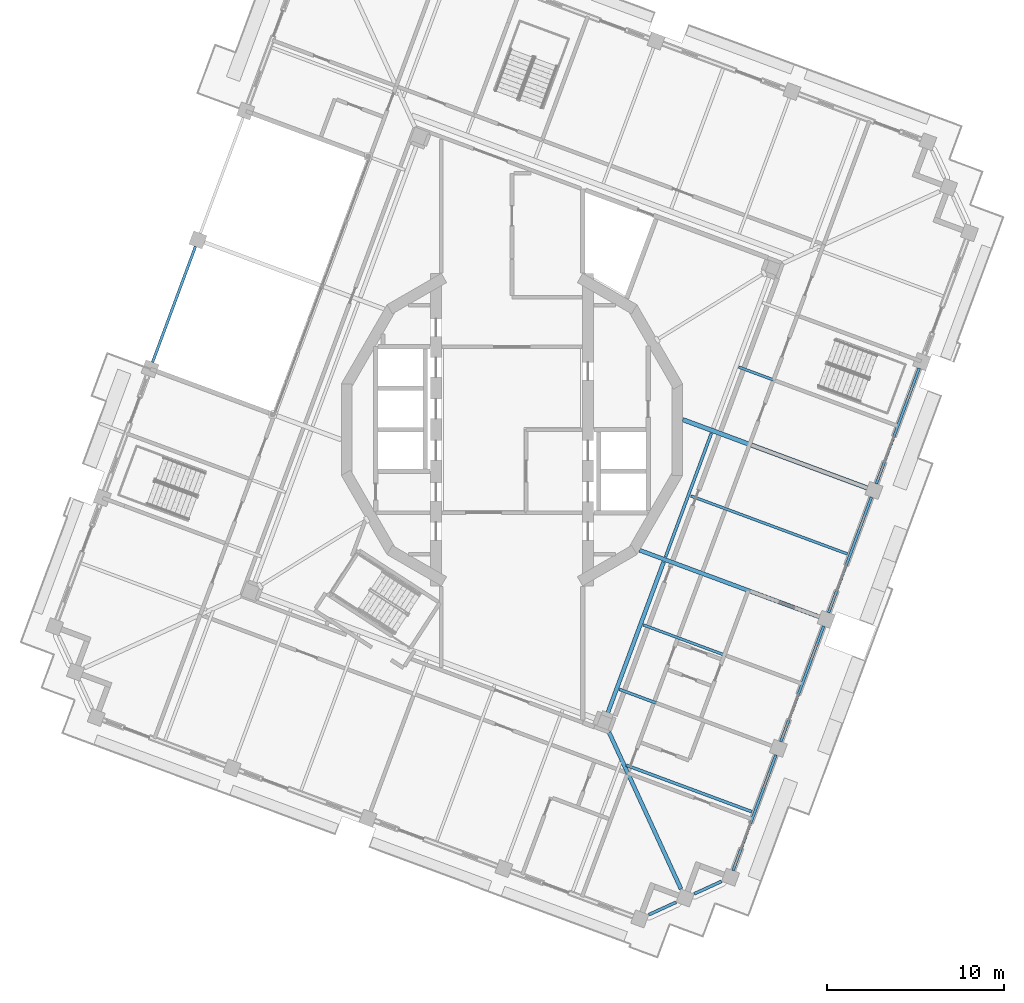
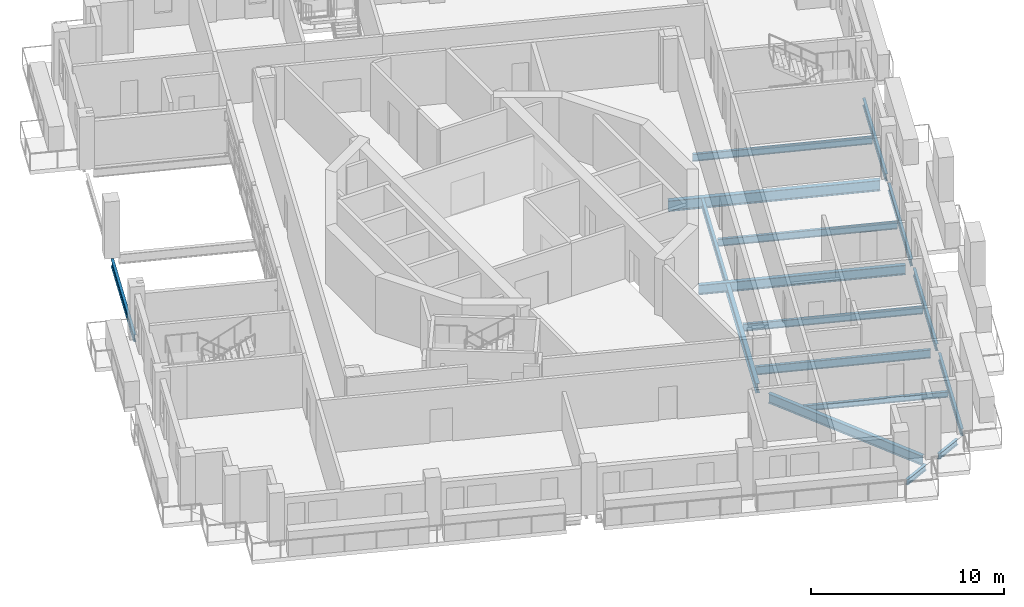
# One storey, part 3 of 20: 17 beams.
"""IFC4 building model written with IfcOpenShell, lengths in metres."""

from ifc_helpers import new_model, si_unit, direction, frame, origin, origin_2d, place, context, subcontext, project, spatial, i_section, extrude, material, material_profile, profile_set, type_object, element, save


model = new_model("IFC4")

# Units and contexts
model_context = context("Model", 3, precision=1e-05, world=origin(), true_north=direction((0.0, 1.0)))
body_context = subcontext(model_context, "Body", "Model", "MODEL_VIEW")
ifc_project = project(units=[si_unit("LENGTHUNIT", "METRE"), si_unit("AREAUNIT", "SQUARE_METRE"), si_unit("VOLUMEUNIT", "CUBIC_METRE"), si_unit("PLANEANGLEUNIT", "RADIAN"), si_unit("MASSUNIT", "GRAM", prefix="KILO")], contexts=[model_context])

# Site, building, storey
site_placement = place(None, origin())
site = spatial("IfcSite", under=ifc_project, at=site_placement, CompositionType="ELEMENT")
building_placement = place(site_placement, origin())
building = spatial("IfcBuilding", under=site, at=building_placement, Name="Cantera Rosa Tower", CompositionType="ELEMENT")
storey_placement = place(building_placement, frame((0.0, 0.0, 313.300048828125)))
storey = spatial("IfcBuildingStorey", under=building, at=storey_placement, Name="L69", CompositionType="ELEMENT", Elevation=313.300048828125)

# Beams
ifc_material_1 = material(Name="Steel ASTM A992 (Fy 345 MPa)", Category="steel")
ifc_material_profile_1 = material_profile(ifc_material_1, i_section(OverallWidth=0.166015625, OverallDepth=0.528076171875, WebThickness=0.009765625, FlangeThickness=0.013671875, FilletRadius=0.0126953125, at=origin_2d()), Name="W530X74")
ifc_profile_set_1 = profile_set([ifc_material_profile_1], Name="Steel ASTM A992 (Fy 345 MPa)")
beam_type_1 = type_object("IfcBeamType", Name="STEEL BEAM W530X74", PredefinedType="BEAM", material=ifc_profile_set_1)
beam_1_placement = place(storey_placement, frame((14.69873046875, -17.892333984375, -0.51416015625), z_axis=(-0.937688566, 0.347476838353, 0.0), x_axis=(-0.347476838353, -0.937688566, 0.0)))
element("IfcBeam", 1, at=beam_1_placement, inside=storey, type_object=beam_type_1, Name="G-Z6-08 L69", PredefinedType="BEAM", context=body_context, shape_type="SweptSolid", body=[
    extrude(i_section(OverallWidth=0.166015625, OverallDepth=0.528076171875, WebThickness=0.009765625, FlangeThickness=0.013671875, FilletRadius=0.0126953125, at=origin_2d()), origin(), (0.0, 0.0, 1.0), 9.199951171875),
])
beam_2_placement = place(storey_placement, frame((8.686767578125, -7.20751953125, -0.51416015625), z_axis=(0.347486566882, 0.937684960867, 0.0), x_axis=(-0.937684960867, 0.347486566882, 0.0)))
element("IfcBeam", 2, at=beam_2_placement, inside=storey, type_object=beam_type_1, Name="RB-Z6-05 L69", PredefinedType="BEAM", context=body_context, shape_type="SweptSolid", body=[
    extrude(i_section(OverallWidth=0.166015625, OverallDepth=0.528076171875, WebThickness=0.009765625, FlangeThickness=0.013671875, FilletRadius=0.0126953125, at=origin_2d()), origin(), (0.0, 0.0, 1.0), 7.479736328125),
])
ifc_material_2 = material(Name="Steel ASTM A992 (Fy 345 MPa)", Category="steel")
ifc_material_profile_2 = material_profile(ifc_material_2, i_section(OverallWidth=0.22802734375, OverallDepth=0.60205078125, WebThickness=0.010498046875, FlangeThickness=0.014892578125, FilletRadius=0.0126953125, at=origin_2d()), Name="W610X101")
ifc_profile_set_2 = profile_set([ifc_material_profile_2], Name="Steel ASTM A992 (Fy 345 MPa)")
beam_type_2 = type_object("IfcBeamType", Name="STEEL BEAM W610X101", PredefinedType="BEAM", material=ifc_profile_set_2)
beam_3_placement = place(storey_placement, frame((9.56396484375, -25.992919921875, -0.551025390625), z_axis=(-0.417345508131, 0.908747889595, 0.0), x_axis=(-0.908747889595, -0.417345508131, 0.0)))
element("IfcBeam", 3, at=beam_3_placement, inside=storey, type_object=beam_type_2, Name="CB-Z6-03 L69", PredefinedType="BEAM", context=body_context, shape_type="SweptSolid", body=[
    extrude(i_section(OverallWidth=0.22802734375, OverallDepth=0.60205078125, WebThickness=0.010498046875, FlangeThickness=0.014892578125, FilletRadius=0.0126953125, at=origin_2d()), origin(), (0.0, 0.0, 1.0), 9.758056640625),
])
beam_4_placement = place(storey_placement, frame((5.38232421875, -16.125, -0.551025390625), z_axis=(0.347474937304, 0.937689270465, 0.0), x_axis=(-0.937689270465, 0.347474937304, 0.0)))
element("IfcBeam", 4, at=beam_4_placement, inside=storey, type_object=beam_type_2, Name="RB-Z6-04 L69", PredefinedType="BEAM", context=body_context, shape_type="SweptSolid", body=[
    extrude(i_section(OverallWidth=0.22802734375, OverallDepth=0.60205078125, WebThickness=0.010498046875, FlangeThickness=0.014892578125, FilletRadius=0.0126953125, at=origin_2d()), origin(), (0.0, 0.0, 1.0), 9.2099609375),
])
ifc_material_3 = material(Name="Steel ASTM A992 (Fy 345 MPa)", Category="steel")
ifc_material_profile_3 = material_profile(ifc_material_3, i_section(OverallWidth=0.22900390625, OverallDepth=0.612060546875, WebThickness=0.011962890625, FlangeThickness=0.01953125, FilletRadius=0.0126953125, at=origin_2d()), Name="W610X125")
ifc_profile_set_3 = profile_set([ifc_material_profile_3], Name="Steel ASTM A992 (Fy 345 MPa)")
beam_type_3 = type_object("IfcBeamType", Name="STEEL BEAM W610X125", PredefinedType="BEAM", material=ifc_profile_set_3)
beam_5_placement = place(storey_placement, frame((17.402099609375, -10.59716796875, -0.55615234375), z_axis=(-0.937686127687, 0.347483418229, 0.0), x_axis=(-0.347483418229, -0.937686127687, 0.0)))
element("IfcBeam", 5, at=beam_5_placement, inside=storey, type_object=beam_type_3, Name="G-Z6-09 L69", PredefinedType="BEAM", context=body_context, shape_type="SweptSolid", body=[
    extrude(i_section(OverallWidth=0.22900390625, OverallDepth=0.612060546875, WebThickness=0.011962890625, FlangeThickness=0.01953125, FilletRadius=0.0126953125, at=origin_2d()), origin(), (0.0, 0.0, 1.0), 10.8642578125),
])
ifc_material_4 = material(Name="Steel ASTM A992 (Fy 345 MPa)", Category="steel")
ifc_material_profile_4 = material_profile(ifc_material_4, i_section(OverallWidth=0.25390625, OverallDepth=0.677978515625, WebThickness=0.01171875, FlangeThickness=0.016357421875, FilletRadius=0.01513671875, at=origin_2d()), Name="W690X125")
ifc_profile_set_4 = profile_set([ifc_material_profile_4], Name="Steel ASTM A992 (Fy 345 MPa)")
beam_type_4 = type_object("IfcBeamType", Name="STEEL BEAM W690X125", PredefinedType="BEAM", material=ifc_profile_set_4)
beam_6_placement = place(storey_placement, frame((20.10546875, -3.302001953125, -0.589111328125), z_axis=(-0.937687416585, 0.347479940109, 0.0), x_axis=(-0.347479940109, -0.937687416585, 0.0)))
element("IfcBeam", 6, at=beam_6_placement, inside=storey, type_object=beam_type_4, Name="G-Z6-10 L69", PredefinedType="BEAM", context=body_context, shape_type="SweptSolid", body=[
    extrude(i_section(OverallWidth=0.25390625, OverallDepth=0.677978515625, WebThickness=0.01171875, FlangeThickness=0.016357421875, FilletRadius=0.01513671875, at=origin_2d()), origin(), (0.0, 0.0, 1.0), 11.140380859375),
])
ifc_material_5 = material(Name="Steel ASTM A992 (Fy 345 MPa)", Category="steel")
ifc_material_profile_5 = material_profile(ifc_material_5, i_section(OverallWidth=0.1708984375, OverallDepth=0.35595703125, WebThickness=0.00732421875, FlangeThickness=0.01171875, FilletRadius=0.010009765625, at=origin_2d()), Name="W360X51")
ifc_profile_set_5 = profile_set([ifc_material_profile_5], Name="Steel ASTM A992 (Fy 345 MPa)")
beam_type_5 = type_object("IfcBeamType", Name="STEEL JOIST W360X51", PredefinedType="JOIST", material=ifc_profile_set_5)
beam_7_placement = place(storey_placement, frame((13.581298828125, -21.626953125, -0.427978515625), z_axis=(-0.93768239316, 0.347493495705, 0.0), x_axis=(-0.347493495705, -0.93768239316, 0.0)))
element("IfcBeam", 7, at=beam_7_placement, inside=storey, type_object=beam_type_5, Name="B-Z6-10 L69", PredefinedType="JOIST", context=body_context, shape_type="SweptSolid", body=[
    extrude(i_section(OverallWidth=0.1708984375, OverallDepth=0.35595703125, WebThickness=0.00732421875, FlangeThickness=0.01171875, FilletRadius=0.010009765625, at=origin_2d()), origin(), (0.0, 0.0, 1.0), 7.58984375),
])
ifc_material_6 = material(Name="Steel ASTM A992 (Fy 345 MPa)", Category="steel")
ifc_material_profile_6 = material_profile(ifc_material_6, i_section(OverallWidth=0.154052734375, OverallDepth=0.4599609375, WebThickness=0.009033203125, FlangeThickness=0.015380859375, FilletRadius=0.01025390625, at=origin_2d()), Name="W460X68")
ifc_profile_set_6 = profile_set([ifc_material_profile_6], Name="Steel ASTM A992 (Fy 345 MPa)")
beam_type_6 = type_object("IfcBeamType", Name="STEEL JOIST W460X68", PredefinedType="JOIST", material=ifc_profile_set_6)
beam_8_placement = place(storey_placement, frame((16.28466796875, -14.331787109375, -0.47998046875), z_axis=(-0.937686417179, 0.347482637031, 0.0), x_axis=(-0.347482637031, -0.937686417179, 0.0)))
element("IfcBeam", 8, at=beam_8_placement, inside=storey, type_object=beam_type_6, Name="B-Z6-11 L69", PredefinedType="JOIST", context=body_context, shape_type="SweptSolid", body=[
    extrude(i_section(OverallWidth=0.154052734375, OverallDepth=0.4599609375, WebThickness=0.009033203125, FlangeThickness=0.015380859375, FilletRadius=0.01025390625, at=origin_2d()), origin(), (0.0, 0.0, 1.0), 9.449951171875),
])
for number, where, z_axis, x_axis, name in (
    (9, (18.98828125, -7.036376953125, -0.47998046875), (-0.937689536508, 0.347474219364, 0.0), (-0.347474219364, -0.937689536508, 0.0), "B-Z6-12 L69"),
    (10, (21.691650390625, 0.2587890625, -0.47998046875), (-0.937689536508, 0.347474219364, 0.0), (-0.347474219364, -0.937689536508, 0.0), "B-Z6-13 L69"),
):
    element("IfcBeam", number, at=place(storey_placement, frame(where, z_axis=z_axis, x_axis=x_axis)), inside=storey, type_object=beam_type_6, Name=name, PredefinedType="JOIST", context=body_context, shape_type="SweptSolid", body=[
        extrude(i_section(OverallWidth=0.154052734375, OverallDepth=0.4599609375, WebThickness=0.009033203125, FlangeThickness=0.015380859375, FilletRadius=0.01025390625, at=origin_2d()), origin(), (0.0, 0.0, 1.0), 9.4501953125),
    ])
ifc_material_7 = material(Name="Steel ASTM A992 (Fy 345 MPa)", Category="steel")
ifc_material_profile_7 = material_profile(ifc_material_7, i_section(OverallWidth=0.1708984375, OverallDepth=0.35595703125, WebThickness=0.00732421875, FlangeThickness=0.01171875, FilletRadius=0.010009765625, at=origin_2d()), Name="W360X51")
ifc_profile_set_7 = profile_set([ifc_material_profile_7], Name="Steel ASTM A992 (Fy 345 MPa)")
beam_type_7 = type_object("IfcBeamType", Name="STEEL SPANDREL BEAM W360X51", PredefinedType="SPANDREL", material=ifc_profile_set_7)
for number, where, z_axis, x_axis, name in (
    (11, (7.74365234375, -27.451416015625, -0.427978515625), (0.908753529973, 0.417333226286, 0.0), (-0.417333226286, 0.908753529973, 0.0), "EB-Z6-18 L69"),
    (12, (10.31396484375, -26.27099609375, -0.427978515625), (0.908753529973, 0.417333226286, 0.0), (-0.417333226286, 0.908753529973, 0.0), "EB-Z6-19 L69"),
):
    element("IfcBeam", number, at=place(storey_placement, frame(where, z_axis=z_axis, x_axis=x_axis)), inside=storey, type_object=beam_type_7, Name=name, PredefinedType="SPANDREL", context=body_context, shape_type="SweptSolid", body=[
        extrude(i_section(OverallWidth=0.1708984375, OverallDepth=0.35595703125, WebThickness=0.00732421875, FlangeThickness=0.01171875, FilletRadius=0.010009765625, at=origin_2d()), origin(), (0.0, 0.0, 1.0), 1.697021484375),
    ])
ifc_material_8 = material(Name="Steel ASTM A992 (Fy 345 MPa)", Category="steel")
ifc_material_profile_8 = material_profile(ifc_material_8, i_section(OverallWidth=0.154052734375, OverallDepth=0.4599609375, WebThickness=0.009033203125, FlangeThickness=0.015380859375, FilletRadius=0.01025390625, at=origin_2d()), Name="W460X68")
ifc_profile_set_8 = profile_set([ifc_material_profile_8], Name="Steel ASTM A992 (Fy 345 MPa)")
beam_type_8 = type_object("IfcBeamType", Name="STEEL SPANDREL BEAM W460X68", PredefinedType="SPANDREL", material=ifc_profile_set_8)
beam_9_placement = place(storey_placement, frame((-17.916015625, 10.361083984375, -0.47998046875), z_axis=(-0.347502316452, -0.937679124253, 0.0), x_axis=(0.937679124253, -0.347502316452, 0.0)))
element("IfcBeam", 13, at=beam_9_placement, inside=storey, type_object=beam_type_8, Name="EB-Z6-09 L69", PredefinedType="SPANDREL", context=body_context, shape_type="SweptSolid", body=[
    extrude(i_section(OverallWidth=0.154052734375, OverallDepth=0.4599609375, WebThickness=0.009033203125, FlangeThickness=0.015380859375, FilletRadius=0.01025390625, at=origin_2d()), origin(), (0.0, 0.0, 1.0), 6.97998046875),
])
beam_10_placement = place(storey_placement, frame((12.50927734375, -24.95166015625, -0.47998046875), z_axis=(0.347490919506, 0.937683347864, 0.0), x_axis=(-0.937683347864, 0.347490919506, 0.0)))
element("IfcBeam", 14, at=beam_10_placement, inside=storey, type_object=beam_type_8, Name="EB-Z6-20 L69", PredefinedType="SPANDREL", context=body_context, shape_type="SweptSolid", body=[
    extrude(i_section(OverallWidth=0.154052734375, OverallDepth=0.4599609375, WebThickness=0.009033203125, FlangeThickness=0.015380859375, FilletRadius=0.01025390625, at=origin_2d()), origin(), (0.0, 0.0, 1.0), 6.980224609375),
])
for number, where, z_axis, x_axis, name in (
    (15, (15.212646484375, -17.65625, -0.47998046875), (0.347502316452, 0.937679124253, 0.0), (-0.937679124253, 0.347502316452, 0.0), "EB-Z6-21 L69"),
    (16, (17.916015625, -10.361083984375, -0.47998046875), (0.347502316452, 0.937679124253, 0.0), (-0.937679124253, 0.347502316452, 0.0), "EB-Z6-22 L69"),
):
    element("IfcBeam", number, at=place(storey_placement, frame(where, z_axis=z_axis, x_axis=x_axis)), inside=storey, type_object=beam_type_8, Name=name, PredefinedType="SPANDREL", context=body_context, shape_type="SweptSolid", body=[
        extrude(i_section(OverallWidth=0.154052734375, OverallDepth=0.4599609375, WebThickness=0.009033203125, FlangeThickness=0.015380859375, FilletRadius=0.01025390625, at=origin_2d()), origin(), (0.0, 0.0, 1.0), 6.97998046875),
    ])
beam_11_placement = place(storey_placement, frame((20.61962890625, -3.06591796875, -0.47998046875), z_axis=(0.347471562124, 0.937690521182, 0.0), x_axis=(-0.937690521182, 0.347471562124, 0.0)))
element("IfcBeam", 17, at=beam_11_placement, inside=storey, type_object=beam_type_8, Name="EB-Z6-23 L69", PredefinedType="SPANDREL", context=body_context, shape_type="SweptSolid", body=[
    extrude(i_section(OverallWidth=0.154052734375, OverallDepth=0.4599609375, WebThickness=0.009033203125, FlangeThickness=0.015380859375, FilletRadius=0.01025390625, at=origin_2d()), origin(), (0.0, 0.0, 1.0), 6.979736328125),
])

save(model, "model.ifc")
